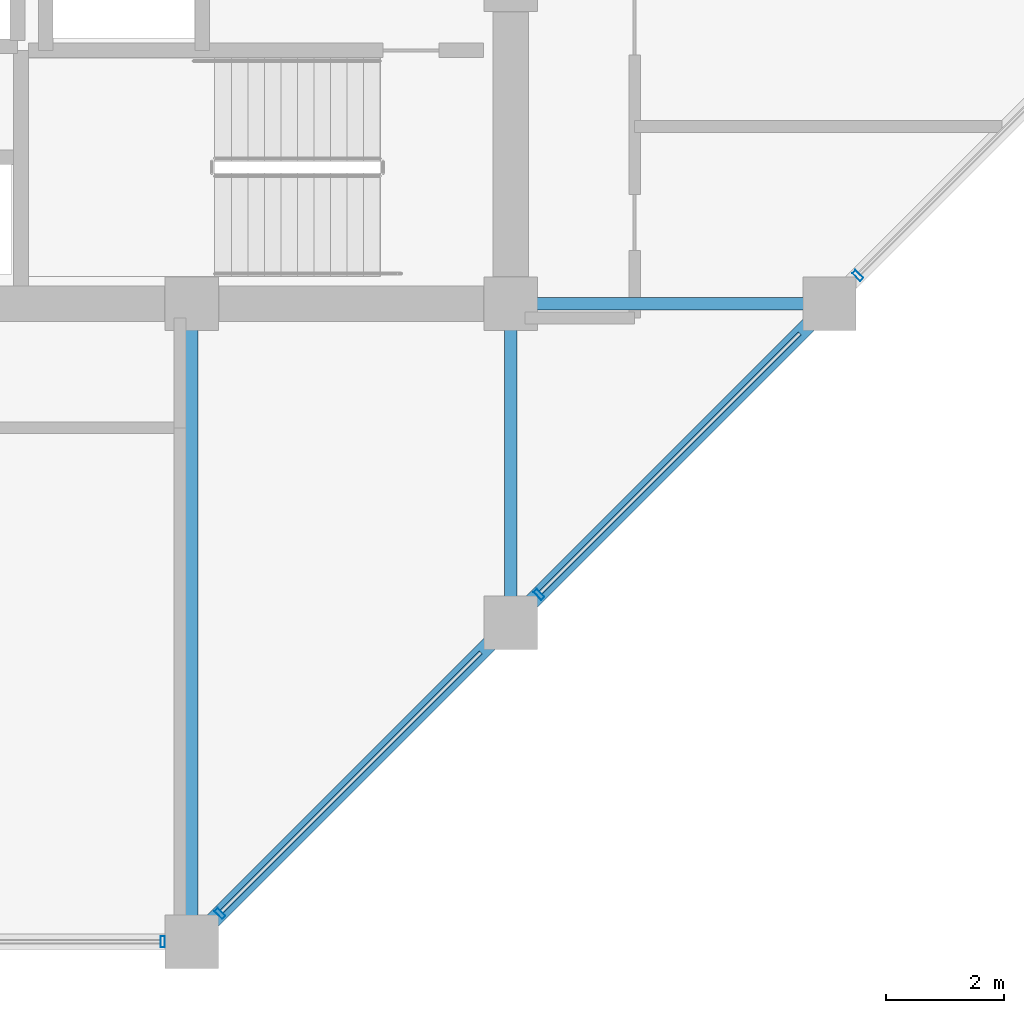
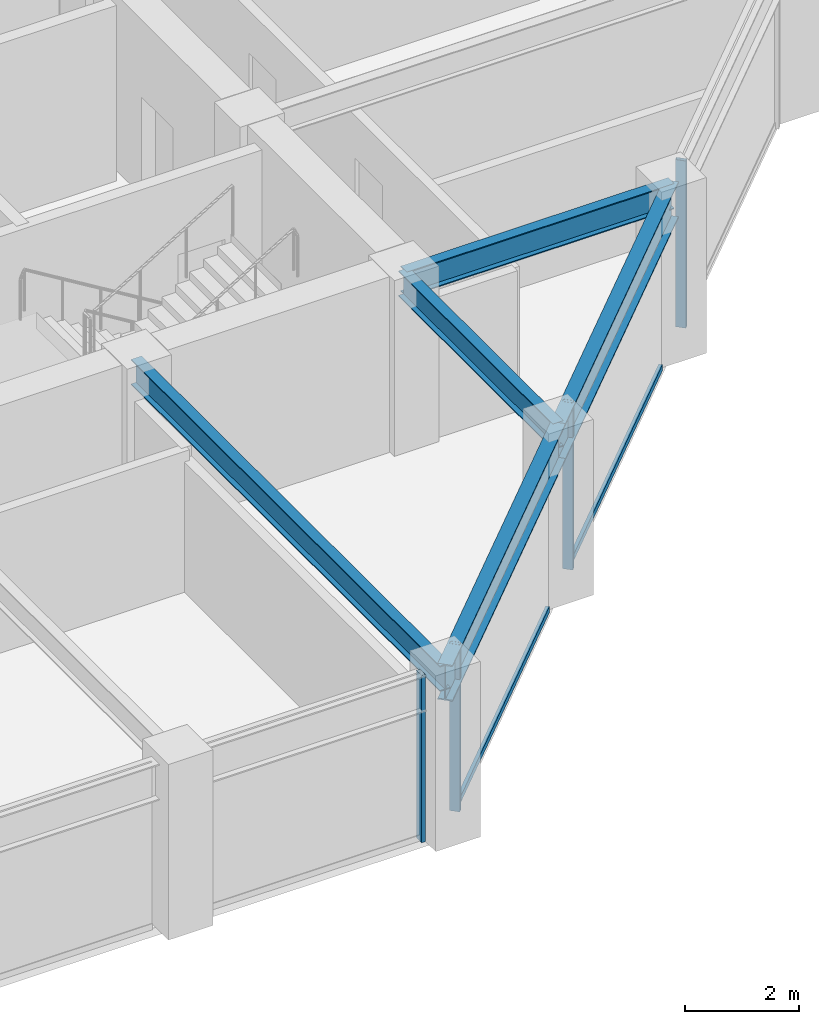
# One storey, part 9 of 28: 6 members, 5 beams, 2 elements without a shape of their own.
"""IFC4 building model written with IfcOpenShell, lengths in metres."""

from ifc_helpers import new_model, si_unit, direction, frame, origin, origin_2d, place, context, subcontext, project, spatial, hollow_rectangle, i_section, extrude, material, layer, layer_set, material_profile, profile_set, type_object, element, aggregate, save


model = new_model("IFC4")

# Units and contexts
model_context = context("Model", 3, precision=1e-05, world=origin(), true_north=direction((0.0, 1.0)))
body_context = subcontext(model_context, "Body", "Model", "MODEL_VIEW")
ifc_project = project(units=[si_unit("LENGTHUNIT", "METRE"), si_unit("AREAUNIT", "SQUARE_METRE"), si_unit("VOLUMEUNIT", "CUBIC_METRE"), si_unit("PLANEANGLEUNIT", "RADIAN"), si_unit("MASSUNIT", "GRAM", prefix="KILO")], contexts=[model_context])

# Site, building, storey
site_placement = place(None, origin())
site = spatial("IfcSite", under=ifc_project, at=site_placement, CompositionType="ELEMENT")
building_placement = place(site_placement, origin())
building = spatial("IfcBuilding", under=site, at=building_placement, Name="Surkhivell Harbour Commons", CompositionType="ELEMENT")
storey_placement = place(building_placement, frame((0.0, 0.0, 174.75)))
storey = spatial("IfcBuildingStorey", under=building, at=storey_placement, Name="L45", CompositionType="ELEMENT", Elevation=174.75)

# Beams
ifc_material_1 = material(Name="Steel S355", Category="steel")
ifc_material_profile_1 = material_profile(ifc_material_1, i_section(OverallWidth=0.2119140625, OverallDepth=0.5439453125, WebThickness=0.0126953125, FlangeThickness=0.021240234375, at=origin_2d()), Name="UB533x210x122")
ifc_profile_set_1 = profile_set([ifc_material_profile_1], Name="Steel S355")
beam_type_1 = type_object("IfcBeamType", Name="BM-GRD-533A", PredefinedType="BEAM", material=ifc_profile_set_1)
beam_1_placement = place(storey_placement, frame((5.39990234375, -21.60009765625, 3.298095703125), z_axis=(0.0, 1.0, 0.0), x_axis=(-1.0, 0.0, 0.0)))
element("IfcBeam", 1, at=beam_1_placement, inside=storey, type_object=beam_type_1, Name="L45 Floor Girder (5.4,-21.6)", PredefinedType="BEAM", context=body_context, shape_type="SweptSolid", body=[
    extrude(i_section(OverallWidth=0.2119140625, OverallDepth=0.5439453125, WebThickness=0.0126953125, FlangeThickness=0.021240234375, at=origin_2d()), origin(), (0.0, 0.0, 1.0), 10.800048828125),
])
for number, where, z_axis, x_axis, name in (
    (2, (10.800048828125, -16.199951171875, 3.298095703125), (0.0, 1.0, 0.0), (-1.0, 0.0, 0.0), "L45 Floor Girder (10.8,-16.2)"),
    (3, (10.800048828125, -10.800048828125, 3.298095703125), (1.0, 0.0, 0.0), (0.0, 1.0, 0.0), "L45 Floor Girder (10.8,-10.8)"),
):
    element("IfcBeam", number, at=place(storey_placement, frame(where, z_axis=z_axis, x_axis=x_axis)), inside=storey, type_object=beam_type_1, Name=name, PredefinedType="BEAM", context=body_context, shape_type="SweptSolid", body=[
        extrude(i_section(OverallWidth=0.2119140625, OverallDepth=0.5439453125, WebThickness=0.0126953125, FlangeThickness=0.021240234375, at=origin_2d()), origin(), (0.0, 0.0, 1.0), 5.39990234375),
    ])
ifc_material_profile_2 = material_profile(ifc_material_1, i_section(OverallWidth=0.26806640625, OverallDepth=0.77001953125, WebThickness=0.015625, FlangeThickness=0.025390625, at=origin_2d()), Name="UB762x267x197")
ifc_profile_set_2 = profile_set([ifc_material_profile_2], Name="Steel S355")
beam_type_2 = type_object("IfcBeamType", Name="BM-SPN-762", PredefinedType="SPANDREL", material=ifc_profile_set_2)
beam_2_placement = place(storey_placement, frame((5.39990234375, -21.60009765625, 3.18505859375), z_axis=(0.707106781187, 0.707106781187, 0.0), x_axis=(-0.707106781187, 0.707106781187, 0.0)))
element("IfcBeam", 4, at=beam_2_placement, inside=storey, type_object=beam_type_2, Name="L45 Tube Spandrel (5.4,-21.6)", PredefinedType="SPANDREL", context=body_context, shape_type="SweptSolid", body=[
    extrude(i_section(OverallWidth=0.26806640625, OverallDepth=0.77001953125, WebThickness=0.015625, FlangeThickness=0.025390625, at=origin_2d()), origin(), (0.0, 0.0, 1.0), 7.636962890625),
])
beam_3_placement = place(storey_placement, frame((10.800048828125, -16.199951171875, 3.18505859375), z_axis=(0.707106781187, 0.707106781187, 0.0), x_axis=(-0.707106781187, 0.707106781187, 0.0)))
element("IfcBeam", 5, at=beam_3_placement, inside=storey, type_object=beam_type_2, Name="L45 Tube Spandrel (10.8,-16.2)", PredefinedType="SPANDREL", context=body_context, shape_type="SweptSolid", body=[
    extrude(i_section(OverallWidth=0.26806640625, OverallDepth=0.77001953125, WebThickness=0.015625, FlangeThickness=0.025390625, at=origin_2d()), origin(), (0.0, 0.0, 1.0), 7.63671875),
])

# Curtain wall, member
ifc_material_2 = material(Name="Anodised pale-metal aluminium and insulated glazing", Category="aluminium")
ifc_layer = layer(ifc_material_2, 0.18994140625)
ifc_layer_set = layer_set([ifc_layer], Name="Anodised pale-metal aluminium and insulated glazing")
curtain_wall_type = type_object("IfcCurtainWallType", Name="CW-SYS-Z3", PredefinedType="NOTDEFINED", material=ifc_layer_set)
curtain_wall_1_placement = place(storey_placement, origin())
curtain_wall_1 = element("IfcCurtainWall", 6, at=curtain_wall_1_placement, inside=storey, type_object=curtain_wall_type, Name="L45 Curtain Wall CW-L45-E00S2", PredefinedType="NOTDEFINED")
ifc_material_3 = material(Name="Anodised pale-metal aluminium alloy 6063-T6", Category="aluminium")
ifc_material_profile_3 = material_profile(ifc_material_3, hollow_rectangle(XDim=0.074951171875, YDim=0.18994140625, WallThickness=0.00390625, at=origin_2d()), Name="ALU-MULL-75x190")
ifc_profile_set_3 = profile_set([ifc_material_profile_3], Name="Anodised pale-metal aluminium alloy 6063-T6")
member_type_1 = type_object("IfcMemberType", Name="CWM-190", PredefinedType="MULLION", material=ifc_profile_set_3)
member_1_placement = place(storey_placement, frame((4.910400390625, -21.60009765625, 0.0), z_axis=(0.0, 0.0, 1.0), x_axis=(1.0, 0.0, 0.0)))
member_1 = element("IfcMember", 7, at=member_1_placement, type_object=member_type_1, Name="CW-Z3 mullion 3", PredefinedType="MULLION", context=body_context, shape_type="SweptSolid", body=[
    extrude(hollow_rectangle(XDim=0.074951171875, YDim=0.18994140625, WallThickness=0.00390625, at=origin_2d()), origin(), (0.0, 0.0, 1.0), 3.570068359375),
])
aggregate(curtain_wall_1, [member_1])

# Curtain wall, members
curtain_wall_2_placement = place(storey_placement, origin())
curtain_wall_2 = element("IfcCurtainWall", 8, at=curtain_wall_2_placement, inside=storey, type_object=curtain_wall_type, Name="L45 Curtain Wall CW-L45-E01", PredefinedType="NOTDEFINED")
member_2_placement = place(storey_placement, frame((5.878173828125, -21.121826171875, 0.0), z_axis=(0.0, 0.0, 1.0), x_axis=(0.707106781187, 0.707106781187, 0.0)))
member_2 = element("IfcMember", 9, at=member_2_placement, type_object=member_type_1, Name="CW-Z3 mullion 1", PredefinedType="MULLION", context=body_context, shape_type="SweptSolid", body=[
    extrude(hollow_rectangle(XDim=0.074951171875, YDim=0.18994140625, WallThickness=0.00390625, at=origin_2d()), origin(), (0.0, 0.0, 1.0), 3.570068359375),
])
member_3_placement = place(storey_placement, frame((11.278076171875, -15.721923828125, 0.0), z_axis=(0.0, 0.0, 1.0), x_axis=(0.707106781187, 0.707106781187, 0.0)))
member_3 = element("IfcMember", 10, at=member_3_placement, type_object=member_type_1, Name="CW-Z3 mullion 2", PredefinedType="MULLION", context=body_context, shape_type="SweptSolid", body=[
    extrude(hollow_rectangle(XDim=0.074951171875, YDim=0.18994140625, WallThickness=0.00390625, at=origin_2d()), origin(), (0.0, 0.0, 1.0), 3.570068359375),
])
member_4_placement = place(storey_placement, frame((16.67822265625, -10.32177734375, 0.0), z_axis=(0.0, 0.0, 1.0), x_axis=(0.707106781187, 0.707106781187, 0.0)))
member_4 = element("IfcMember", 11, at=member_4_placement, type_object=member_type_1, Name="CW-Z3 mullion 3", PredefinedType="MULLION", context=body_context, shape_type="SweptSolid", body=[
    extrude(hollow_rectangle(XDim=0.074951171875, YDim=0.18994140625, WallThickness=0.00390625, at=origin_2d()), origin(), (0.0, 0.0, 1.0), 3.570068359375),
])
ifc_material_4 = material(Name="Champagne anodised aluminium alloy 6063-T6", Category="aluminium")
ifc_material_profile_4 = material_profile(ifc_material_4, hollow_rectangle(XDim=0.070068359375, YDim=0.1298828125, WallThickness=0.00341796875, at=origin_2d()), Name="ALU-TRAN-70x130")
ifc_profile_set_4 = profile_set([ifc_material_profile_4], Name="Champagne anodised aluminium alloy 6063-T6")
member_type_2 = type_object("IfcMemberType", Name="CWT-130", PredefinedType="USERDEFINED", material=ifc_profile_set_4)
member_5_placement = place(storey_placement, frame((5.90478515625, -21.09521484375, 0.06494140625), z_axis=(0.707106781187, 0.707106781187, 0.0), x_axis=(-0.707106781187, 0.707106781187, 0.0)))
member_5 = element("IfcMember", 12, at=member_5_placement, type_object=member_type_2, Name="CW-Z3 transom 1.1", ObjectType="TRANSOM", PredefinedType="USERDEFINED", context=body_context, shape_type="SweptSolid", body=[
    extrude(hollow_rectangle(XDim=0.070068359375, YDim=0.1298828125, WallThickness=0.00341796875, at=origin_2d()), origin(), (0.0, 0.0, 1.0), 6.209228515625),
])
member_6_placement = place(storey_placement, frame((11.3046875, -15.6953125, 0.06494140625), z_axis=(0.707106781187, 0.707106781187, 0.0), x_axis=(-0.707106781187, 0.707106781187, 0.0)))
member_6 = element("IfcMember", 13, at=member_6_placement, type_object=member_type_2, Name="CW-Z3 transom 2.1", ObjectType="TRANSOM", PredefinedType="USERDEFINED", context=body_context, shape_type="SweptSolid", body=[
    extrude(hollow_rectangle(XDim=0.070068359375, YDim=0.1298828125, WallThickness=0.00341796875, at=origin_2d()), origin(), (0.0, 0.0, 1.0), 6.209228515625),
])
aggregate(curtain_wall_2, [member_2, member_5, member_3, member_6, member_4])

save(model, "model.ifc")
